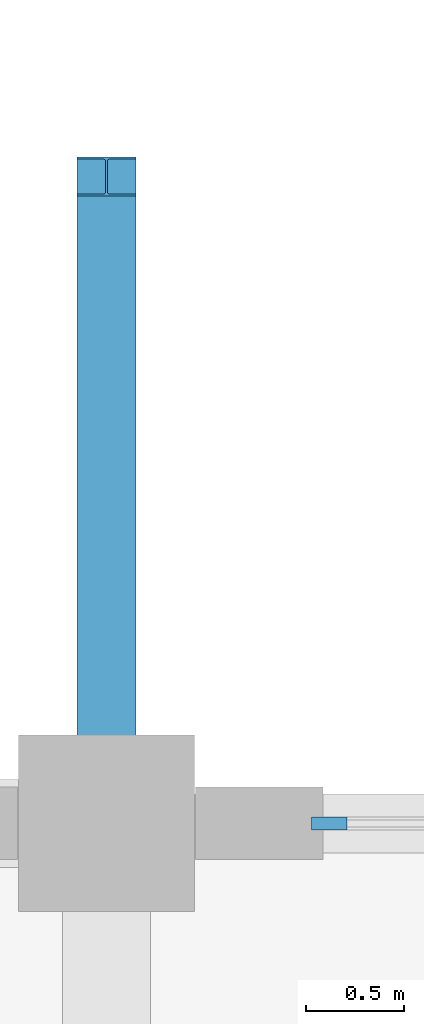
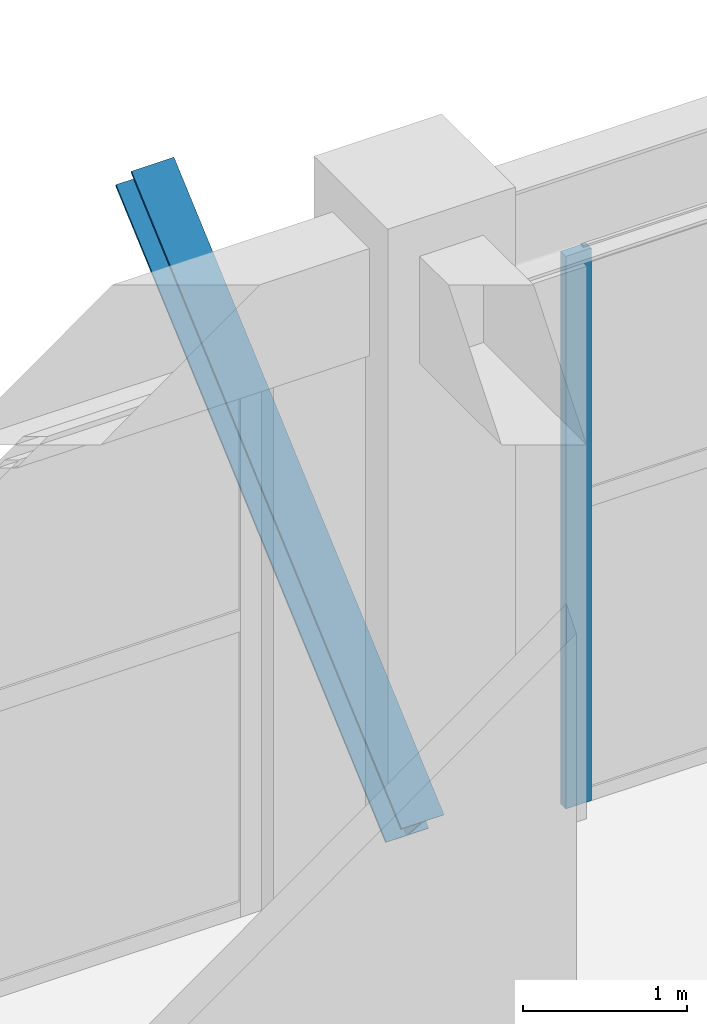
# One storey, part 21 of 116: 2 members, 1 element without a shape of its own.
"""IFC4 building model written with IfcOpenShell, lengths in metres."""

from ifc_helpers import new_model, si_unit, direction, frame, origin, origin_2d, place, context, subcontext, project, spatial, rectangle, i_section, extrude, material, layer, layer_set, material_profile, profile_set, type_object, element, aggregate, save


model = new_model("IFC4")

# Units and contexts
model_context = context("Model", 3, precision=1e-05, world=origin(), true_north=direction((0.0, 1.0)))
body_context = subcontext(model_context, "Body", "Model", "MODEL_VIEW")
ifc_project = project(units=[si_unit("LENGTHUNIT", "METRE"), si_unit("AREAUNIT", "SQUARE_METRE"), si_unit("VOLUMEUNIT", "CUBIC_METRE"), si_unit("PLANEANGLEUNIT", "RADIAN"), si_unit("MASSUNIT", "GRAM", prefix="KILO")], contexts=[model_context])

# Site, building, storey
site_placement = place(None, origin())
site = spatial("IfcSite", under=ifc_project, at=site_placement, CompositionType="ELEMENT")
building_placement = place(site_placement, origin())
building = spatial("IfcBuilding", under=site, at=building_placement, Name="Kazenohara Klinker Stadium", CompositionType="ELEMENT")
storey_placement = place(building_placement, frame((0.0, 0.0, 10.199951171875)))
storey = spatial("IfcBuildingStorey", under=building, at=storey_placement, Name="L02", CompositionType="ELEMENT", Elevation=10.199951171875)

# Curtain wall, member
ifc_material_1 = material(Name="Anodised aluminium and triple glazing", Category="aluminium")
ifc_layer = layer(ifc_material_1, 0.18994140625)
ifc_layer_set = layer_set([ifc_layer], Name="Anodised aluminium and triple glazing")
curtain_wall_type = type_object("IfcCurtainWallType", Name="CW-SYS-05", PredefinedType="USERDEFINED", material=ifc_layer_set)
curtain_wall_placement = place(storey_placement, origin())
curtain_wall = element("IfcCurtainWall", 1, at=curtain_wall_placement, inside=storey, type_object=curtain_wall_type, Name="Unitised facade curtain wall CW05 L02 X10-3", ObjectType="UNITISED CURTAIN WALL", PredefinedType="USERDEFINED")
ifc_material_2 = material(Name="Anodised aluminium 6063-T6", Category="aluminium")
ifc_material_profile_1 = material_profile(ifc_material_2, rectangle(XDim=0.06494140625, YDim=0.179931640625, at=origin_2d()), Name="ALU-MUL-65x180")
ifc_profile_set_1 = profile_set([ifc_material_profile_1], Name="Anodised aluminium 6063-T6")
member_type_1 = type_object("IfcMemberType", Name="CW-MUL-180", PredefinedType="MULLION", material=ifc_profile_set_1)
member_1_placement = place(storey_placement, frame((126.136474609375, 36.0, 0.0), z_axis=(0.0, 0.0, 1.0), x_axis=(0.0, 1.0, 0.0)))
member_1 = element("IfcMember", 2, at=member_1_placement, type_object=member_type_1, Name="CW05 mullion 1", PredefinedType="MULLION", context=body_context, shape_type="SweptSolid", body=[
    extrude(rectangle(XDim=0.06494140625, YDim=0.179931640625, at=origin_2d()), origin(), (0.0, 0.0, 1.0), 4.1201171875),
])
aggregate(curtain_wall, [member_1])

# Member
ifc_material_3 = material(Name="Steel S355", Category="steel")
ifc_material_profile_2 = material_profile(ifc_material_3, i_section(OverallWidth=0.300048828125, OverallDepth=0.300048828125, WebThickness=0.010009765625, FlangeThickness=0.014892578125, FilletRadius=0.012939453125, at=origin_2d()), Name="H-300x300x10x15")
ifc_profile_set_2 = profile_set([ifc_material_profile_2], Name="Steel S355")
member_type_2 = type_object("IfcMemberType", Name="MEM-BRC01", PredefinedType="BRACE", material=ifc_profile_set_2)
member_2_placement = place(storey_placement, frame((125.0, 36.0, 0.199951171875), z_axis=(0.0, 0.750987889423, 0.660315977347), x_axis=(-1.0, 0.0, 0.0)))
element("IfcMember", 3, at=member_2_placement, inside=storey, type_object=member_type_2, Name="Upper bowl raking bracket strut BR01 South 11", PredefinedType="BRACE", context=body_context, shape_type="SweptSolid", body=[
    extrude(i_section(OverallWidth=0.300048828125, OverallDepth=0.300048828125, WebThickness=0.010009765625, FlangeThickness=0.014892578125, FilletRadius=0.012939453125, at=origin_2d()), origin(), (0.0, 0.0, 1.0), 4.394287109375),
])

save(model, "model.ifc")
